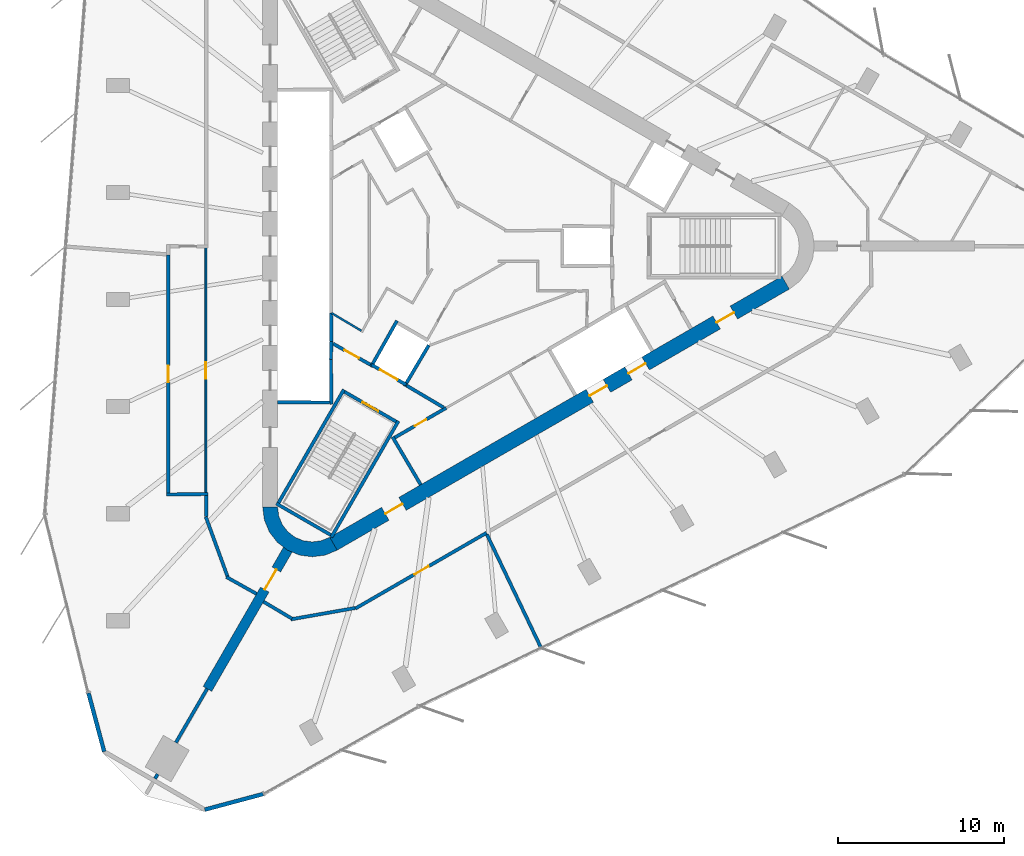
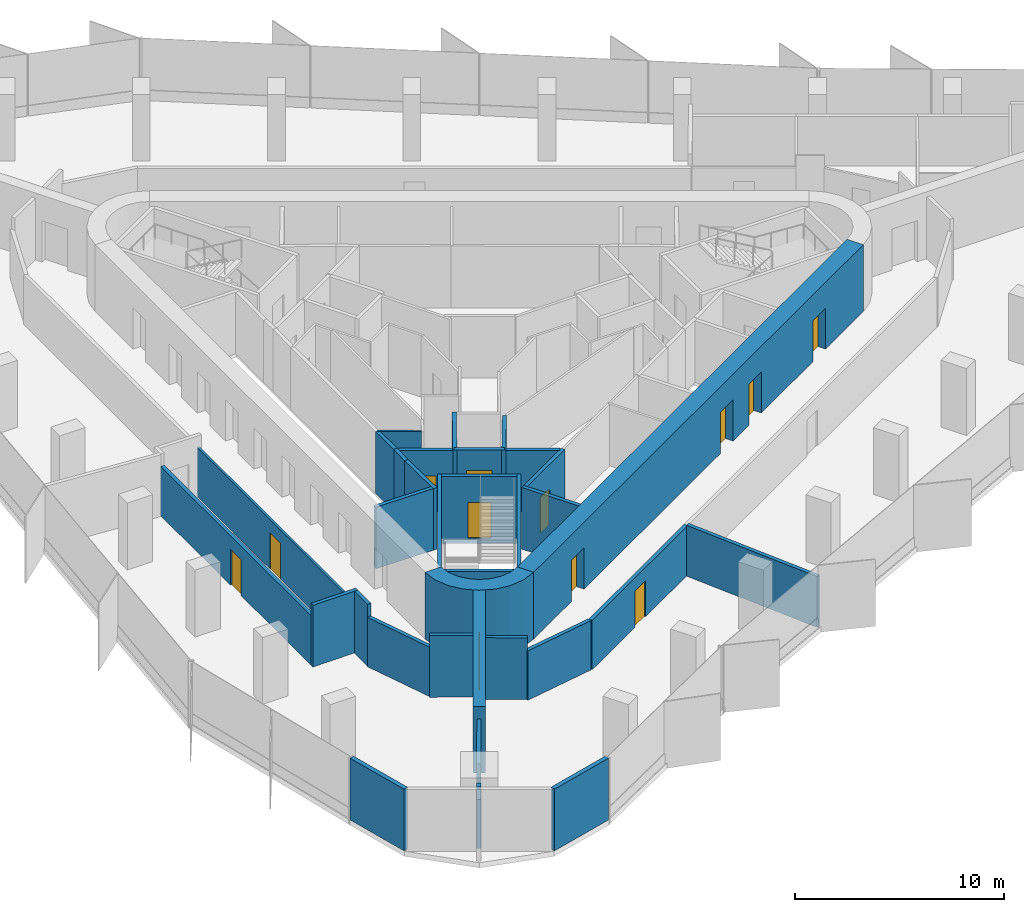
# One storey, part 8 of 14: 33 walls, 12 doors, 12 openings.
"""IFC4 building model written with IfcOpenShell, lengths in metres."""

from ifc_helpers import new_model, si_unit, direction, frame, frame_2d, origin, place, context, subcontext, project, spatial, polyline, rectangle, outline, extrude, material, layer, layer_set, type_object, element, fill, save


model = new_model("IFC4")

# Units and contexts
model_context = context("Model", 3, precision=1e-05, world=origin(), true_north=direction((0.0, 1.0)))
body_context = subcontext(model_context, "Body", "Model", "MODEL_VIEW")
ifc_project = project(units=[si_unit("LENGTHUNIT", "METRE"), si_unit("AREAUNIT", "SQUARE_METRE"), si_unit("VOLUMEUNIT", "CUBIC_METRE"), si_unit("PLANEANGLEUNIT", "RADIAN"), si_unit("MASSUNIT", "GRAM", prefix="KILO")], contexts=[model_context])

# Site, building, storey
site_placement = place(None, origin())
site = spatial("IfcSite", under=ifc_project, at=site_placement, CompositionType="ELEMENT")
building_placement = place(site_placement, origin())
building = spatial("IfcBuilding", under=site, at=building_placement, Name="Tanit Gate Tower", CompositionType="ELEMENT")
storey_placement = place(building_placement, frame((0.0, 0.0, 306.5)))
storey = spatial("IfcBuildingStorey", under=building, at=storey_placement, Name="L68", CompositionType="ELEMENT", Elevation=306.5)

# Wall, opening, door
ifc_material_1 = material(Name="Concrete C40/50", Category="concrete")
ifc_layer_1 = layer(ifc_material_1, 0.60009765625)
ifc_layer_set_1 = layer_set([ifc_layer_1], Name="BUTTRESS FIN 600 C40/50")
wall_type_1 = type_object("IfcWallType", Name="BUTTRESS FIN 600 C40/50", PredefinedType="SHEAR", material=ifc_layer_set_1)
wall_1_placement = place(storey_placement, frame((-10.574951171875, -18.31640625, 0.0), z_axis=(0.0, 0.0, 1.0), x_axis=(-0.499999297704, -0.866025809255, 0.0)))
wall_1 = element("IfcWall", 1, at=wall_1_placement, inside=storey, type_object=wall_type_1, Name="BUTTRESS FIN", PredefinedType="SHEAR", context=body_context, shape_type="SweptSolid", body=[
    extrude(rectangle(XDim=9.72021484375, YDim=0.60009765625, at=frame_2d((4.860107421875, 0.0))), origin(), (0.0, 0.0, 1.0), 3.89990234375),
])
opening_1_placement = place(wall_1_placement, frame((1.39990234375, 0.0, 0.0)))
opening_1 = element("IfcOpeningElement", 2, at=opening_1_placement, cuts=wall_1, Name="Opening P14-S18-F-SW-1", PredefinedType="OPENING", context=body_context, shape_type="SweptSolid", body=[
    extrude(rectangle(XDim=1.39990234375, YDim=2.39990234375, at=frame_2d((0.699951171875, 1.199951171875))), frame((0.0, 0.31005859375, 0.0), z_axis=(0.0, -1.0, 0.0), x_axis=(1.0, 0.0, 0.0)), (0.0, 0.0, 1.0), 0.6201171875),
])
ifc_material_2 = material(Name="Timber door leaf", Category="wood")
door_type_1 = type_object("IfcDoorType", Name="INT-DOOR-FIN-PAIR-1400", OperationType="NOTDEFINED", PredefinedType="NOTDEFINED", material=ifc_material_2)
door_1_placement = place(opening_1_placement, origin())
door_1 = element("IfcDoor", 3, at=door_1_placement, inside=storey, type_object=door_type_1, Name="Door P14-S18-F-SW-1", OperationType="DOUBLE_DOOR_SINGLE_SWING", OverallHeight=2.39990234375, OverallWidth=1.39990234375, PredefinedType="NOTDEFINED", context=body_context, shape_type="SweptSolid", body=[
    extrude(rectangle(XDim=1.39990234375, YDim=2.39990234375, at=frame_2d((0.699951171875, 1.199951171875))), frame((0.0, 0.02490234375, 0.0), z_axis=(0.0, -1.0, 0.0), x_axis=(1.0, 0.0, 0.0)), (0.0, 0.0, 1.0), 0.050048828125),
])
fill(opening_1, door_1)

# Wall, openings, doors
ifc_material_3 = material(Name="Concrete C40/50", Category="concrete")
ifc_layer_2 = layer(ifc_material_3, 0.89990234375)
ifc_layer_set_2 = layer_set([ifc_layer_2], Name="CORE WALL 900 C40/50")
wall_type_2 = type_object("IfcWallType", Name="CORE WALL 900 C40/50", PredefinedType="SHEAR", material=ifc_layer_set_2)
wall_2_placement = place(storey_placement, frame((-7.824951171875, -17.969970703125, 0.0), z_axis=(0.0, 0.0, 1.0), x_axis=(0.866028369851, 0.499994862586, 0.0)))
wall_2 = element("IfcWall", 4, at=wall_2_placement, inside=storey, type_object=wall_type_2, Name="CORE WALL", PredefinedType="SHEAR", context=body_context, shape_type="SweptSolid", body=[
    extrude(rectangle(XDim=31.523193359375, YDim=0.89990234375, at=frame_2d((15.76171875, 0.0))), origin(), (0.0, 0.0, 1.0), 3.89990234375),
])
opening_2_placement = place(wall_2_placement, frame((17.861572265625, 0.0, 0.0)))
opening_2 = element("IfcOpeningElement", 5, at=opening_2_placement, cuts=wall_2, Name="Opening LDSV1-S18", PredefinedType="OPENING", context=body_context, shape_type="SweptSolid", body=[
    extrude(rectangle(XDim=1.199951171875, YDim=2.39990234375, at=frame_2d((0.60009765625, 1.199951171875))), frame((0.0, 0.4599609375, 0.0), z_axis=(0.0, -1.0, 0.0), x_axis=(1.0, 0.0, 0.0)), (0.0, 0.0, 1.0), 0.919921875),
])
opening_3_placement = place(wall_2_placement, frame((20.561767578125, 0.0, 0.0)))
opening_3 = element("IfcOpeningElement", 6, at=opening_3_placement, cuts=wall_2, Name="Opening LDSV2-S18", PredefinedType="OPENING", context=body_context, shape_type="SweptSolid", body=[
    extrude(rectangle(XDim=1.199951171875, YDim=2.39990234375, at=frame_2d((0.60009765625, 1.199951171875))), frame((0.0, 0.4599609375, 0.0), z_axis=(0.0, -1.0, 0.0), x_axis=(1.0, 0.0, 0.0)), (0.0, 0.0, 1.0), 0.919921875),
])
opening_4_placement = place(wall_2_placement, frame((26.711669921875, 0.0, 0.0)))
opening_4 = element("IfcOpeningElement", 7, at=opening_4_placement, cuts=wall_2, Name="Opening F12-S18-S1", PredefinedType="OPENING", context=body_context, shape_type="SweptSolid", body=[
    extrude(rectangle(XDim=1.199951171875, YDim=2.39990234375, at=frame_2d((0.60009765625, 1.199951171875))), frame((0.0, 0.4599609375, 0.0), z_axis=(0.0, -1.0, 0.0), x_axis=(1.0, 0.0, 0.0)), (0.0, 0.0, 1.0), 0.919921875),
])
opening_5_placement = place(wall_2_placement, frame((3.611572265625, 0.0, 0.0)))
opening_5 = element("IfcOpeningElement", 8, at=opening_5_placement, cuts=wall_2, Name="Opening F12-S18-FL3", PredefinedType="OPENING", context=body_context, shape_type="SweptSolid", body=[
    extrude(rectangle(XDim=1.199951171875, YDim=2.39990234375, at=frame_2d((0.60009765625, 1.199951171875))), frame((0.0, 0.4599609375, 0.0), z_axis=(0.0, -1.0, 0.0), x_axis=(1.0, 0.0, 0.0)), (0.0, 0.0, 1.0), 0.919921875),
])
ifc_material_4 = material(Name="Fire-rated steel door leaf", Category="steel")
door_type_2 = type_object("IfcDoorType", Name="INT-DOOR-FIRE-LOBBY-1200", OperationType="NOTDEFINED", PredefinedType="USERDEFINED", material=ifc_material_4)
door_2_placement = place(opening_4_placement, origin())
door_2 = element("IfcDoor", 9, at=door_2_placement, inside=storey, type_object=door_type_2, Name="Door F12-S18-S1", ObjectType="FIRE DOOR", OperationType="SINGLE_SWING_LEFT", OverallHeight=2.39990234375, OverallWidth=1.199951171875, PredefinedType="USERDEFINED", context=body_context, shape_type="SweptSolid", body=[
    extrude(rectangle(XDim=1.199951171875, YDim=2.39990234375, at=frame_2d((0.60009765625, 1.199951171875))), frame((0.0, 0.02490234375, 0.0), z_axis=(0.0, -1.0, 0.0), x_axis=(1.0, 0.0, 0.0)), (0.0, 0.0, 1.0), 0.050048828125),
])
fill(opening_4, door_2)
door_3_placement = place(opening_5_placement, origin())
door_3 = element("IfcDoor", 10, at=door_3_placement, inside=storey, type_object=door_type_2, Name="Door F12-S18-FL3", ObjectType="FIRE DOOR", OperationType="SINGLE_SWING_RIGHT", OverallHeight=2.39990234375, OverallWidth=1.199951171875, PredefinedType="USERDEFINED", context=body_context, shape_type="SweptSolid", body=[
    extrude(rectangle(XDim=1.199951171875, YDim=2.39990234375, at=frame_2d((0.60009765625, 1.199951171875))), frame((0.0, 0.02490234375, 0.0), z_axis=(0.0, -1.0, 0.0), x_axis=(1.0, 0.0, 0.0)), (0.0, 0.0, 1.0), 0.050048828125),
])
fill(opening_5, door_3)
ifc_material_5 = material(Name="Stainless steel sliding door leaf", Category="steel")
door_type_3 = type_object("IfcDoorType", Name="INT-DOOR-LANDING-1200", OperationType="NOTDEFINED", PredefinedType="USERDEFINED", material=ifc_material_5)
door_4_placement = place(opening_2_placement, origin())
door_4 = element("IfcDoor", 11, at=door_4_placement, inside=storey, type_object=door_type_3, Name="Door LDSV1-S18", ObjectType="LANDING DOOR", OperationType="SLIDING_TO_LEFT", OverallHeight=2.39990234375, OverallWidth=1.199951171875, PredefinedType="USERDEFINED", context=body_context, shape_type="SweptSolid", body=[
    extrude(rectangle(XDim=1.199951171875, YDim=2.39990234375, at=frame_2d((0.60009765625, 1.199951171875))), frame((0.0, 0.02490234375, 0.0), z_axis=(0.0, -1.0, 0.0), x_axis=(1.0, 0.0, 0.0)), (0.0, 0.0, 1.0), 0.050048828125),
])
fill(opening_2, door_4)
door_5_placement = place(opening_3_placement, origin())
door_5 = element("IfcDoor", 12, at=door_5_placement, inside=storey, type_object=door_type_3, Name="Door LDSV2-S18", ObjectType="LANDING DOOR", OperationType="SLIDING_TO_LEFT", OverallHeight=2.39990234375, OverallWidth=1.199951171875, PredefinedType="USERDEFINED", context=body_context, shape_type="SweptSolid", body=[
    extrude(rectangle(XDim=1.199951171875, YDim=2.39990234375, at=frame_2d((0.60009765625, 1.199951171875))), frame((0.0, 0.02490234375, 0.0), z_axis=(0.0, -1.0, 0.0), x_axis=(1.0, 0.0, 0.0)), (0.0, 0.0, 1.0), 0.050048828125),
])
fill(opening_3, door_5)

# Walls
wall_3_placement = place(storey_placement, origin())
element("IfcWall", 13, at=wall_3_placement, inside=storey, type_object=wall_type_2, Name="CORE WALL CORNER", PredefinedType="SHEAR", context=body_context, shape_type="SweptSolid", body=[
    extrude(outline(polyline([(-12.10009765625, -15.76171875), (-11.997802734375, -16.5380859375), (-11.697998046875, -17.26171875), (-11.22119140625, -17.883056640625), (-10.60009765625, -18.359619140625), (-9.87646484375, -18.659423828125), (-9.10009765625, -18.76171875), (-8.323486328125, -18.659423828125), (-7.60009765625, -18.359619140625), (-8.050048828125, -17.580322265625), (-8.556396484375, -17.7900390625), (-9.10009765625, -17.86181640625), (-9.6435546875, -17.7900390625), (-10.14990234375, -17.580322265625), (-10.5849609375, -17.24658203125), (-10.918701171875, -16.811767578125), (-11.12841796875, -16.30517578125), (-11.199951171875, -15.76171875), (-12.10009765625, -15.76171875)])), origin(), (0.0, 0.0, 1.0), 3.89990234375),
])
ifc_material_6 = material(Name="Concrete C30/37 with bronze anodised aluminium cladding", Category="concrete")
ifc_layer_3 = layer(ifc_material_6, 0.239990234375)
ifc_layer_set_3 = layer_set([ifc_layer_3], Name="Facade wall bronze clad 240")
wall_type_3 = type_object("IfcWallType", Name="Facade wall bronze clad 240", PredefinedType="SOLIDWALL", material=ifc_layer_set_3)
wall_4_placement = place(storey_placement, frame((-22.619140625, -26.98193359375, 0.0), z_axis=(0.0, 0.0, 1.0), x_axis=(0.258766072242, -0.965940018768, 0.0)))
element("IfcWall", 14, at=wall_4_placement, inside=storey, type_object=wall_type_3, Name="Bronze-clad facade wall L68 SW.arc1", PredefinedType="SOLIDWALL", context=body_context, shape_type="SweptSolid", body=[
    extrude(rectangle(XDim=3.66259765625, YDim=0.239990234375, at=frame_2d((1.831298828125, 0.0))), origin(), (0.0, 0.0, 1.0), 3.60009765625),
])
wall_5_placement = place(storey_placement, frame((-15.59521484375, -34.02783203125, 0.0), z_axis=(0.0, 0.0, 1.0), x_axis=(0.965927742293, 0.258811894374, 0.0)))
element("IfcWall", 15, at=wall_5_placement, inside=storey, type_object=wall_type_3, Name="Bronze-clad facade wall L68 SW.arc3", PredefinedType="SOLIDWALL", context=body_context, shape_type="SweptSolid", body=[
    extrude(rectangle(XDim=3.648681640625, YDim=0.239990234375, at=frame_2d((1.82421875, 0.0))), origin(), (0.0, 0.0, 1.0), 3.60009765625),
])
ifc_material_7 = material(Name="Fire-rated gypsum board partition")
ifc_layer_4 = layer(ifc_material_7, 0.199951171875)
ifc_layer_set_4 = layer_set([ifc_layer_4], Name="INT-WALL-COMPARTMENT")
wall_type_4 = type_object("IfcWallType", Name="INT-WALL-COMPARTMENT", PredefinedType="PARTITIONING", material=ifc_layer_set_4)
wall_6_placement = place(storey_placement, frame((-4.259765625, -11.523681640625, 0.0), z_axis=(0.0, 0.0, 1.0), x_axis=(0.507997497166, -0.861358544901, 0.0)))
element("IfcWall", 16, at=wall_6_placement, inside=storey, type_object=wall_type_4, Name="Wall Compartment W053", PredefinedType="PARTITIONING", context=body_context, shape_type="SweptSolid", body=[
    extrude(rectangle(XDim=3.350341796875, YDim=0.199951171875, at=frame_2d((1.67529296875, 0.0))), origin(), (0.0, 0.0, 1.0), 3.60009765625),
])

# Wall, opening, door
wall_7_placement = place(storey_placement, frame((-1.02392578125, -9.77099609375, 0.0), z_axis=(0.0, 0.0, 1.0), x_axis=(-0.866029903013, -0.499992207027, 0.0)))
wall_7 = element("IfcWall", 17, at=wall_7_placement, inside=storey, type_object=wall_type_4, Name="Wall Compartment W054", PredefinedType="PARTITIONING", context=body_context, shape_type="SweptSolid", body=[
    extrude(rectangle(XDim=3.57763671875, YDim=0.199951171875, at=frame_2d((1.788818359375, 0.0))), origin(), (0.0, 0.0, 1.0), 3.60009765625),
])
opening_6_placement = place(wall_7_placement, frame((1.388916015625, 0.0, 0.0)))
opening_6 = element("IfcOpeningElement", 18, at=opening_6_placement, cuts=wall_7, Name="Opening R08-S18-18", PredefinedType="OPENING", context=body_context, shape_type="SweptSolid", body=[
    extrude(rectangle(XDim=0.800048828125, YDim=2.10009765625, at=frame_2d((0.39990234375, 1.050048828125))), frame((0.0, 0.10986328125, 0.0), z_axis=(0.0, -1.0, 0.0), x_axis=(1.0, 0.0, 0.0)), (0.0, 0.0, 1.0), 0.219970703125),
])
ifc_material_8 = material(Name="Timber door leaf", Category="wood")
door_type_4 = type_object("IfcDoorType", Name="INT-DOOR-RISER-800", OperationType="NOTDEFINED", PredefinedType="USERDEFINED", material=ifc_material_8)
door_6_placement = place(opening_6_placement, origin())
door_6 = element("IfcDoor", 19, at=door_6_placement, inside=storey, type_object=door_type_4, Name="Door R08-S18-18", ObjectType="FIRE DOOR", OperationType="SINGLE_SWING_RIGHT", OverallHeight=2.10009765625, OverallWidth=0.800048828125, PredefinedType="USERDEFINED", context=body_context, shape_type="SweptSolid", body=[
    extrude(rectangle(XDim=0.800048828125, YDim=2.10009765625, at=frame_2d((0.39990234375, 1.050048828125))), frame((0.0, 0.02490234375, 0.0), z_axis=(0.0, -1.0, 0.0), x_axis=(1.0, 0.0, 0.0)), (0.0, 0.0, 1.0), 0.050048828125),
])
fill(opening_6, door_6)

# Wall
wall_8_placement = place(storey_placement, frame((-3.400634765625, -8.43017578125, 0.0), z_axis=(0.0, 0.0, 1.0), x_axis=(0.860630814782, -0.509229418482, 0.0)))
element("IfcWall", 20, at=wall_8_placement, inside=storey, type_object=wall_type_4, Name="Wall Compartment W063", PredefinedType="PARTITIONING", context=body_context, shape_type="SweptSolid", body=[
    extrude(rectangle(XDim=2.581787109375, YDim=0.199951171875, at=frame_2d((1.291015625, 0.0))), origin(), (0.0, 0.0, 1.0), 3.60009765625),
])

# Wall, opening, door
wall_9_placement = place(storey_placement, frame((-7.849365234375, -5.893798828125, 0.0), z_axis=(0.0, 0.0, 1.0), x_axis=(0.871363259478, -0.490638431059, 0.0)))
wall_9 = element("IfcWall", 21, at=wall_9_placement, inside=storey, type_object=wall_type_4, Name="Wall Compartment W064", PredefinedType="PARTITIONING", context=body_context, shape_type="SweptSolid", body=[
    extrude(rectangle(XDim=2.5810546875, YDim=0.199951171875, at=frame_2d((1.29052734375, 0.0))), origin(), (0.0, 0.0, 1.0), 3.60009765625),
])
opening_7_placement = place(wall_9_placement, frame((0.79052734375, 0.0, 0.0)))
opening_7 = element("IfcOpeningElement", 22, at=opening_7_placement, cuts=wall_9, Name="Opening F10-S18-08", PredefinedType="OPENING", context=body_context, shape_type="SweptSolid", body=[
    extrude(rectangle(XDim=1.0, YDim=2.10009765625, at=frame_2d((0.5, 1.050048828125))), frame((0.0, 0.10986328125, 0.0), z_axis=(0.0, -1.0, 0.0), x_axis=(1.0, 0.0, 0.0)), (0.0, 0.0, 1.0), 0.219970703125),
])
ifc_material_9 = material(Name="Fire-rated steel door leaf", Category="steel")
door_type_5 = type_object("IfcDoorType", Name="INT-DOOR-FIRE-1000", OperationType="NOTDEFINED", PredefinedType="USERDEFINED", material=ifc_material_9)
door_7_placement = place(opening_7_placement, origin())
door_7 = element("IfcDoor", 23, at=door_7_placement, inside=storey, type_object=door_type_5, Name="Door F10-S18-08", ObjectType="FIRE DOOR", OperationType="SINGLE_SWING_RIGHT", OverallHeight=2.10009765625, OverallWidth=1.0, PredefinedType="USERDEFINED", context=body_context, shape_type="SweptSolid", body=[
    extrude(rectangle(XDim=1.0, YDim=2.10009765625, at=frame_2d((0.5, 1.050048828125))), frame((0.0, 0.02490234375, 0.0), z_axis=(0.0, -1.0, 0.0), x_axis=(1.0, 0.0, 0.0)), (0.0, 0.0, 1.0), 0.050048828125),
])
fill(opening_7, door_7)

# Wall
wall_10_placement = place(storey_placement, frame((-17.89990234375, -15.001220703125, 0.0), z_axis=(0.0, 0.0, 1.0), x_axis=(0.999915662945, 0.012987185857, 0.0)))
element("IfcWall", 24, at=wall_10_placement, inside=storey, type_object=wall_type_4, Name="Wall Compartment W089", PredefinedType="PARTITIONING", context=body_context, shape_type="SweptSolid", body=[
    extrude(rectangle(XDim=2.500244140625, YDim=0.199951171875, at=frame_2d((1.25, 0.0))), origin(), (0.0, 0.0, 1.0), 3.60009765625),
])

# Wall, opening, door
wall_11_placement = place(storey_placement, frame((-17.800048828125, -0.534912109375, 0.0), z_axis=(0.0, 0.0, 1.0), x_axis=(0.0, -1.0, 0.0)))
wall_11 = element("IfcWall", 25, at=wall_11_placement, inside=storey, type_object=wall_type_4, Name="Wall Compartment W090", PredefinedType="PARTITIONING", context=body_context, shape_type="SweptSolid", body=[
    extrude(rectangle(XDim=14.364990234375, YDim=0.199951171875, at=frame_2d((7.1826171875, 0.0))), origin(), (0.0, 0.0, 1.0), 2.8798828125),
])
opening_8_placement = place(wall_11_placement, frame((6.6826171875, 0.0, 0.0)))
opening_8 = element("IfcOpeningElement", 26, at=opening_8_placement, cuts=wall_11, Name="Opening F10-S18-26", PredefinedType="OPENING", context=body_context, shape_type="SweptSolid", body=[
    extrude(rectangle(XDim=1.0, YDim=2.10009765625, at=frame_2d((0.5, 1.050048828125))), frame((0.0, 0.10986328125, 0.0), z_axis=(0.0, -1.0, 0.0), x_axis=(1.0, 0.0, 0.0)), (0.0, 0.0, 1.0), 0.219970703125),
])
door_8_placement = place(opening_8_placement, origin())
door_8 = element("IfcDoor", 27, at=door_8_placement, inside=storey, type_object=door_type_5, Name="Door F10-S18-26", ObjectType="FIRE DOOR", OperationType="SINGLE_SWING_RIGHT", OverallHeight=2.10009765625, OverallWidth=1.0, PredefinedType="USERDEFINED", context=body_context, shape_type="SweptSolid", body=[
    extrude(rectangle(XDim=1.0, YDim=2.10009765625, at=frame_2d((0.5, 1.050048828125))), frame((0.0, 0.02490234375, 0.0), z_axis=(0.0, -1.0, 0.0), x_axis=(1.0, 0.0, 0.0)), (0.0, 0.0, 1.0), 0.050048828125),
])
fill(opening_8, door_8)

# Walls
wall_12_placement = place(storey_placement, frame((-14.293212890625, -19.9775390625, 0.0), z_axis=(0.0, 0.0, 1.0), x_axis=(0.872510000486, -0.48859625362, 0.0)))
element("IfcWall", 28, at=wall_12_placement, inside=storey, type_object=wall_type_4, Name="Wall Compartment W093", PredefinedType="PARTITIONING", context=body_context, shape_type="SweptSolid", body=[
    extrude(rectangle(XDim=2.089599609375, YDim=0.199951171875, at=frame_2d((1.044921875, 0.0))), origin(), (0.0, 0.0, 1.0), 3.60009765625),
])
wall_13_placement = place(storey_placement, frame((-15.5341796875, -16.346435546875, 0.0), z_axis=(0.0, 0.0, 1.0), x_axis=(0.342001008711, -0.939699584996, 0.0)))
element("IfcWall", 29, at=wall_13_placement, inside=storey, type_object=wall_type_4, Name="Wall Compartment W094", PredefinedType="PARTITIONING", context=body_context, shape_type="SweptSolid", body=[
    extrude(rectangle(XDim=3.87548828125, YDim=0.199951171875, at=frame_2d((1.937744140625, 0.0))), origin(), (0.0, 0.0, 1.0), 2.8798828125),
])
wall_14_placement = place(storey_placement, frame((-15.5, -15.070068359375, 0.0), z_axis=(0.0, 0.0, 1.0), x_axis=(0.0, -1.0, 0.0)))
element("IfcWall", 30, at=wall_14_placement, inside=storey, type_object=wall_type_4, Name="Wall Compartment W095", PredefinedType="PARTITIONING", context=body_context, shape_type="SweptSolid", body=[
    extrude(rectangle(XDim=1.2705078125, YDim=0.199951171875, at=frame_2d((0.63525390625, 0.0))), origin(), (0.0, 0.0, 1.0), 3.60009765625),
])

# Wall, opening, door
wall_15_placement = place(storey_placement, frame((-6.505126953125, -21.884521484375, 0.0), z_axis=(0.0, 0.0, 1.0), x_axis=(0.866029997737, 0.499992042957, 0.0)))
wall_15 = element("IfcWall", 31, at=wall_15_placement, inside=storey, type_object=wall_type_4, Name="Wall Compartment W109", PredefinedType="PARTITIONING", context=body_context, shape_type="SweptSolid", body=[
    extrude(rectangle(XDim=9.145751953125, YDim=0.199951171875, at=frame_2d((4.57275390625, 0.0))), origin(), (0.0, 0.0, 1.0), 2.8798828125),
])
opening_9_placement = place(wall_15_placement, frame((4.11083984375, 0.0, 0.0)))
opening_9 = element("IfcOpeningElement", 32, at=opening_9_placement, cuts=wall_15, Name="Opening F10-S18-30", PredefinedType="OPENING", context=body_context, shape_type="SweptSolid", body=[
    extrude(rectangle(XDim=1.0, YDim=2.10009765625, at=frame_2d((0.5, 1.050048828125))), frame((0.0, 0.10986328125, 0.0), z_axis=(0.0, -1.0, 0.0), x_axis=(1.0, 0.0, 0.0)), (0.0, 0.0, 1.0), 0.219970703125),
])
door_9_placement = place(opening_9_placement, origin())
door_9 = element("IfcDoor", 33, at=door_9_placement, inside=storey, type_object=door_type_5, Name="Door F10-S18-30", ObjectType="FIRE DOOR", OperationType="SINGLE_SWING_LEFT", OverallHeight=2.10009765625, OverallWidth=1.0, PredefinedType="USERDEFINED", context=body_context, shape_type="SweptSolid", body=[
    extrude(rectangle(XDim=1.0, YDim=2.10009765625, at=frame_2d((0.5, 1.050048828125))), frame((0.0, 0.02490234375, 0.0), z_axis=(0.0, -1.0, 0.0), x_axis=(1.0, 0.0, 0.0)), (0.0, 0.0, 1.0), 0.050048828125),
])
fill(opening_9, door_9)

# Walls
wall_16_placement = place(storey_placement, frame((-10.405517578125, -22.53759765625, 0.0), z_axis=(0.0, 0.0, 1.0), x_axis=(0.98480284819, 0.173675991999, 0.0)))
element("IfcWall", 34, at=wall_16_placement, inside=storey, type_object=wall_type_4, Name="Wall Compartment W110", PredefinedType="PARTITIONING", context=body_context, shape_type="SweptSolid", body=[
    extrude(rectangle(XDim=3.94873046875, YDim=0.199951171875, at=frame_2d((1.974365234375, 0.0))), origin(), (0.0, 0.0, 1.0), 2.8798828125),
])
wall_17_placement = place(storey_placement, frame((-12.05029296875, -21.4716796875, 0.0), z_axis=(0.0, 0.0, 1.0), x_axis=(0.859577966481, -0.511004617924, 0.0)))
element("IfcWall", 35, at=wall_17_placement, inside=storey, type_object=wall_type_4, Name="Wall Compartment W111", PredefinedType="PARTITIONING", context=body_context, shape_type="SweptSolid", body=[
    extrude(rectangle(XDim=1.99755859375, YDim=0.199951171875, at=frame_2d((0.998779296875, 0.0))), origin(), (0.0, 0.0, 1.0), 3.60009765625),
])
wall_18_placement = place(storey_placement, frame((-18.599365234375, -32.15478515625, 0.0), z_axis=(0.0, 0.0, 1.0), x_axis=(0.500213193091, 0.865902281703, 0.0)))
element("IfcWall", 36, at=wall_18_placement, inside=storey, type_object=wall_type_4, Name="Wall Compartment W113x1", PredefinedType="PARTITIONING", context=body_context, shape_type="SweptSolid", body=[
    extrude(rectangle(XDim=0.315673828125, YDim=0.199951171875, at=frame_2d((0.15771484375, 0.0))), origin(), (0.0, 0.0, 1.0), 3.60009765625),
])
wall_19_placement = place(storey_placement, frame((-17.34130859375, -29.97607421875, 0.0), z_axis=(0.0, 0.0, 1.0), x_axis=(0.50255049681, 0.864547857644, 0.0)))
element("IfcWall", 37, at=wall_19_placement, inside=storey, type_object=wall_type_4, Name="Wall Compartment W114", PredefinedType="PARTITIONING", context=body_context, shape_type="SweptSolid", body=[
    extrude(rectangle(XDim=3.760498046875, YDim=0.199951171875, at=frame_2d((1.88037109375, 0.0))), origin(), (0.0, 0.0, 1.0), 3.169921875),
])
wall_20_placement = place(storey_placement, frame((1.437744140625, -17.4140625, 0.0), z_axis=(0.0, 0.0, 1.0), x_axis=(0.431072758101, -0.902317171079, 0.0)))
element("IfcWall", 38, at=wall_20_placement, inside=storey, type_object=wall_type_4, Name="Wall Compartment W124", PredefinedType="PARTITIONING", context=body_context, shape_type="SweptSolid", body=[
    extrude(rectangle(XDim=7.584716796875, YDim=0.199951171875, at=frame_2d((3.79248046875, 0.0))), origin(), (0.0, 0.0, 1.0), 2.969970703125),
])
ifc_material_10 = material(Name="Gypsum board partition")
ifc_layer_5 = layer(ifc_material_10, 0.1201171875)
ifc_layer_set_5 = layer_set([ifc_layer_5], Name="INT-WALL-PARTITION")
wall_type_5 = type_object("IfcWallType", Name="INT-WALL-PARTITION", PredefinedType="PARTITIONING", material=ifc_layer_set_5)
wall_21_placement = place(storey_placement, frame((-7.949951171875, -4.041015625, 0.0), z_axis=(0.0, 0.0, 1.0), x_axis=(0.860112457103, -0.510104461004, 0.0)))
element("IfcWall", 39, at=wall_21_placement, inside=storey, type_object=wall_type_5, Name="Wall Partition W078", PredefinedType="PARTITIONING", context=body_context, shape_type="SweptSolid", body=[
    extrude(rectangle(XDim=2.1044921875, YDim=0.1201171875, at=frame_2d((1.05224609375, 0.0))), origin(), (0.0, 0.0, 1.0), 3.60009765625),
])

# Wall, opening, door
wall_22_placement = place(storey_placement, frame((-15.530029296875, 0.0, 0.0), z_axis=(0.0, 0.0, 1.0), x_axis=(0.0, -1.0, 0.0)))
wall_22 = element("IfcWall", 40, at=wall_22_placement, inside=storey, type_object=wall_type_5, Name="Wall Partition W088", PredefinedType="PARTITIONING", context=body_context, shape_type="SweptSolid", body=[
    extrude(rectangle(XDim=15.0, YDim=0.1201171875, at=frame_2d((7.5, 0.0))), origin(), (0.0, 0.0, 1.0), 2.8798828125),
])
opening_10_placement = place(wall_22_placement, frame((7.0, 0.0, 0.0)))
opening_10 = element("IfcOpeningElement", 41, at=opening_10_placement, cuts=wall_22, Name="Opening D10-S18-21", PredefinedType="OPENING", context=body_context, shape_type="SweptSolid", body=[
    extrude(rectangle(XDim=1.0, YDim=2.10009765625, at=frame_2d((0.5, 1.050048828125))), frame((0.0, 0.070068359375, 0.0), z_axis=(0.0, -1.0, 0.0), x_axis=(1.0, 0.0, 0.0)), (0.0, 0.0, 1.0), 0.14013671875),
])
ifc_material_11 = material(Name="Timber door leaf", Category="wood")
door_type_6 = type_object("IfcDoorType", Name="INT-DOOR-SINGLE-1000", OperationType="NOTDEFINED", PredefinedType="NOTDEFINED", material=ifc_material_11)
door_10_placement = place(opening_10_placement, origin())
door_10 = element("IfcDoor", 42, at=door_10_placement, inside=storey, type_object=door_type_6, Name="Door D10-S18-21", OperationType="SINGLE_SWING_RIGHT", OverallHeight=2.10009765625, OverallWidth=1.0, PredefinedType="NOTDEFINED", context=body_context, shape_type="SweptSolid", body=[
    extrude(rectangle(XDim=1.0, YDim=2.10009765625, at=frame_2d((0.5, 1.050048828125))), frame((0.0, 0.02490234375, 0.0), z_axis=(0.0, -1.0, 0.0), x_axis=(1.0, 0.0, 0.0)), (0.0, 0.0, 1.0), 0.050048828125),
])
fill(opening_10, door_10)

# Walls
ifc_material_12 = material(Name="Gypsum shaft wall system")
ifc_layer_6 = layer(ifc_material_12, 0.199951171875)
ifc_layer_set_6 = layer_set([ifc_layer_6], Name="INT-WALL-SHAFT")
wall_type_6 = type_object("IfcWallType", Name="INT-WALL-SHAFT", PredefinedType="PLUMBINGWALL", material=ifc_layer_set_6)
wall_23_placement = place(storey_placement, frame((-7.949951171875, -5.7724609375, 0.0), z_axis=(0.0, 0.0, 1.0), x_axis=(-0.030803413295, -0.999525462272, 0.0)))
element("IfcWall", 43, at=wall_23_placement, inside=storey, type_object=wall_type_6, Name="Wall Shaft W008", PredefinedType="PLUMBINGWALL", context=body_context, shape_type="SweptSolid", body=[
    extrude(rectangle(XDim=1.077880859375, YDim=0.199951171875, at=frame_2d((0.5390625, 0.0))), origin(), (0.0, 0.0, 1.0), 3.60009765625),
])
wall_24_placement = place(storey_placement, frame((-7.971435546875, -4.050048828125, 0.0), z_axis=(0.0, 0.0, 1.0), x_axis=(0.012042535896, -0.999927486035, 0.0)))
element("IfcWall", 44, at=wall_24_placement, inside=storey, type_object=wall_type_6, Name="Wall Shaft W009", PredefinedType="PLUMBINGWALL", context=body_context, shape_type="SweptSolid", body=[
    extrude(rectangle(XDim=1.844970703125, YDim=0.199951171875, at=frame_2d((0.92236328125, 0.0))), origin(), (0.0, 0.0, 1.0), 3.60009765625),
])
wall_25_placement = place(storey_placement, frame((-7.97900390625, -6.85009765625, 0.0), z_axis=(0.0, 0.0, 1.0), x_axis=(0.011121475088, -0.999938154483, 0.0)))
element("IfcWall", 45, at=wall_25_placement, inside=storey, type_object=wall_type_6, Name="Wall Shaft W010", PredefinedType="PLUMBINGWALL", context=body_context, shape_type="SweptSolid", body=[
    extrude(rectangle(XDim=2.7001953125, YDim=0.199951171875, at=frame_2d((1.35009765625, 0.0))), origin(), (0.0, 0.0, 1.0), 3.60009765625),
])
wall_26_placement = place(storey_placement, frame((-8.050048828125, -9.448974609375, 0.0), z_axis=(0.0, 0.0, 1.0), x_axis=(-0.999957467379, 0.009222983926, 0.0)))
element("IfcWall", 46, at=wall_26_placement, inside=storey, type_object=wall_type_6, Name="Wall Shaft W011", PredefinedType="PLUMBINGWALL", context=body_context, shape_type="SweptSolid", body=[
    extrude(rectangle(XDim=3.150146484375, YDim=0.199951171875, at=frame_2d((1.5751953125, 0.0))), origin(), (0.0, 0.0, 1.0), 3.60009765625),
])

# Wall, opening, door
wall_27_placement = place(storey_placement, frame((-3.44580078125, -8.3681640625, 0.0), z_axis=(0.0, 0.0, 1.0), x_axis=(-0.866024647952, 0.500001309137, 0.0)))
wall_27 = element("IfcWall", 47, at=wall_27_placement, inside=storey, type_object=wall_type_6, Name="Wall Shaft W040", PredefinedType="PLUMBINGWALL", context=body_context, shape_type="SweptSolid", body=[
    extrude(rectangle(XDim=2.39990234375, YDim=0.199951171875, at=frame_2d((1.199951171875, 0.0))), origin(), (0.0, 0.0, 1.0), 3.60009765625),
])
opening_11_placement = place(wall_27_placement, frame((0.60009765625, 0.0, 0.0)))
opening_11 = element("IfcOpeningElement", 48, at=opening_11_placement, cuts=wall_27, Name="Opening LDFL3-L68", PredefinedType="OPENING", context=body_context, shape_type="SweptSolid", body=[
    extrude(rectangle(XDim=1.199951171875, YDim=2.39990234375, at=frame_2d((0.60009765625, 1.199951171875))), frame((0.0, 0.10986328125, 0.0), z_axis=(0.0, -1.0, 0.0), x_axis=(1.0, 0.0, 0.0)), (0.0, 0.0, 1.0), 0.219970703125),
])
door_11_placement = place(opening_11_placement, origin())
door_11 = element("IfcDoor", 49, at=door_11_placement, inside=storey, type_object=door_type_3, Name="Door LDFL3-L68", ObjectType="LANDING DOOR", OperationType="SLIDING_TO_LEFT", OverallHeight=2.39990234375, OverallWidth=1.199951171875, PredefinedType="USERDEFINED", context=body_context, shape_type="SweptSolid", body=[
    extrude(rectangle(XDim=1.199951171875, YDim=2.39990234375, at=frame_2d((0.60009765625, 1.199951171875))), frame((0.0, 0.02490234375, 0.0), z_axis=(0.0, -1.0, 0.0), x_axis=(1.0, 0.0, 0.0)), (0.0, 0.0, 1.0), 0.050048828125),
])
fill(opening_11, door_11)

# Walls
wall_28_placement = place(storey_placement, frame((-2.070068359375, -5.985595703125, 0.0), z_axis=(0.0, 0.0, 1.0), x_axis=(-0.509302965445, -0.8605872933, 0.0)))
element("IfcWall", 50, at=wall_28_placement, inside=storey, type_object=wall_type_6, Name="Wall Shaft W041", PredefinedType="PLUMBINGWALL", context=body_context, shape_type="SweptSolid", body=[
    extrude(rectangle(XDim=2.88134765625, YDim=0.199951171875, at=frame_2d((1.440673828125, 0.0))), origin(), (0.0, 0.0, 1.0), 3.60009765625),
])
wall_29_placement = place(storey_placement, frame((-3.989990234375, -4.509033203125, 0.0), z_axis=(0.0, 0.0, 1.0), x_axis=(-0.491358283181, -0.870957540612, 0.0)))
element("IfcWall", 51, at=wall_29_placement, inside=storey, type_object=wall_type_6, Name="Wall Shaft W042", PredefinedType="PLUMBINGWALL", context=body_context, shape_type="SweptSolid", body=[
    extrude(rectangle(XDim=3.200439453125, YDim=0.199951171875, at=frame_2d((1.60009765625, 0.0))), origin(), (0.0, 0.0, 1.0), 3.60009765625),
])
ifc_material_13 = material(Name="Concrete C40/50", Category="concrete")
ifc_layer_7 = layer(ifc_material_13, 0.199951171875)
ifc_layer_set_7 = layer_set([ifc_layer_7], Name="INT-WALL-STAIR")
wall_type_7 = type_object("IfcWallType", Name="INT-WALL-STAIR", PredefinedType="SHEAR", material=ifc_layer_set_7)
wall_30_placement = place(storey_placement, frame((-3.904541015625, -10.56298828125, -0.300048828125), z_axis=(0.0, 0.0, 1.0), x_axis=(-0.500012932018, -0.866017937352, 0.0)))
element("IfcWall", 52, at=wall_30_placement, inside=storey, type_object=wall_type_7, Name="Wall Stair W036", PredefinedType="SHEAR", context=body_context, shape_type="SweptSolid", body=[
    extrude(rectangle(XDim=8.099853515625, YDim=0.199951171875, at=frame_2d((4.0498046875, 0.0))), origin(), (0.0, 0.0, 1.0), 3.900146484375),
])
wall_31_placement = place(storey_placement, frame((-11.281982421875, -15.541015625, -0.300048828125), z_axis=(0.0, 0.0, 1.0), x_axis=(0.866000483506, -0.500043160704, 0.0)))
element("IfcWall", 53, at=wall_31_placement, inside=storey, type_object=wall_type_7, Name="Wall Stair W037", PredefinedType="SHEAR", context=body_context, shape_type="SweptSolid", body=[
    extrude(rectangle(XDim=3.800048828125, YDim=0.199951171875, at=frame_2d((1.89990234375, 0.0))), origin(), (0.0, 0.0, 1.0), 3.900146484375),
])
wall_32_placement = place(storey_placement, frame((-7.195556640625, -8.662841796875, -0.300048828125), z_axis=(0.0, 0.0, 1.0), x_axis=(-0.499997992926, -0.866026562566, 0.0)))
element("IfcWall", 54, at=wall_32_placement, inside=storey, type_object=wall_type_7, Name="Wall Stair W038", PredefinedType="SHEAR", context=body_context, shape_type="SweptSolid", body=[
    extrude(rectangle(XDim=7.89990234375, YDim=0.199951171875, at=frame_2d((3.949951171875, 0.0))), origin(), (0.0, 0.0, 1.0), 3.900146484375),
])

# Wall, opening, door
wall_33_placement = place(storey_placement, frame((-4.041259765625, -10.599365234375, -0.300048828125), z_axis=(0.0, 0.0, 1.0), x_axis=(-0.866047807691, 0.499961193289, 0.0)))
wall_33 = element("IfcWall", 55, at=wall_33_placement, inside=storey, type_object=wall_type_7, Name="Wall Stair W039", PredefinedType="SHEAR", context=body_context, shape_type="SweptSolid", body=[
    extrude(rectangle(XDim=3.599853515625, YDim=0.199951171875, at=frame_2d((1.7998046875, 0.0))), origin(), (0.0, 0.0, 1.0), 3.900146484375),
])
opening_12_placement = place(wall_33_placement, frame((1.25, 0.0, 0.300048828125)))
opening_12 = element("IfcOpeningElement", 56, at=opening_12_placement, cuts=wall_33, Name="Opening S11-S18-07", PredefinedType="OPENING", context=body_context, shape_type="SweptSolid", body=[
    extrude(rectangle(XDim=1.10009765625, YDim=2.10009765625, at=frame_2d((0.550048828125, 1.050048828125))), frame((0.0, 0.10986328125, 0.0), z_axis=(0.0, -1.0, 0.0), x_axis=(1.0, 0.0, 0.0)), (0.0, 0.0, 1.0), 0.219970703125),
])
ifc_material_14 = material(Name="Timber door leaf", Category="wood")
door_type_7 = type_object("IfcDoorType", Name="INT-DOOR-STAIR-1100", OperationType="NOTDEFINED", PredefinedType="USERDEFINED", material=ifc_material_14)
door_12_placement = place(opening_12_placement, origin())
door_12 = element("IfcDoor", 57, at=door_12_placement, inside=storey, type_object=door_type_7, Name="Door S11-S18-07", ObjectType="FIRE DOOR", OperationType="SINGLE_SWING_LEFT", OverallHeight=2.10009765625, OverallWidth=1.10009765625, PredefinedType="USERDEFINED", context=body_context, shape_type="SweptSolid", body=[
    extrude(rectangle(XDim=1.10009765625, YDim=2.10009765625, at=frame_2d((0.550048828125, 1.050048828125))), frame((0.0, 0.02490234375, 0.0), z_axis=(0.0, -1.0, 0.0), x_axis=(1.0, 0.0, 0.0)), (0.0, 0.0, 1.0), 0.050048828125),
])
fill(opening_12, door_12)

save(model, "model.ifc")
